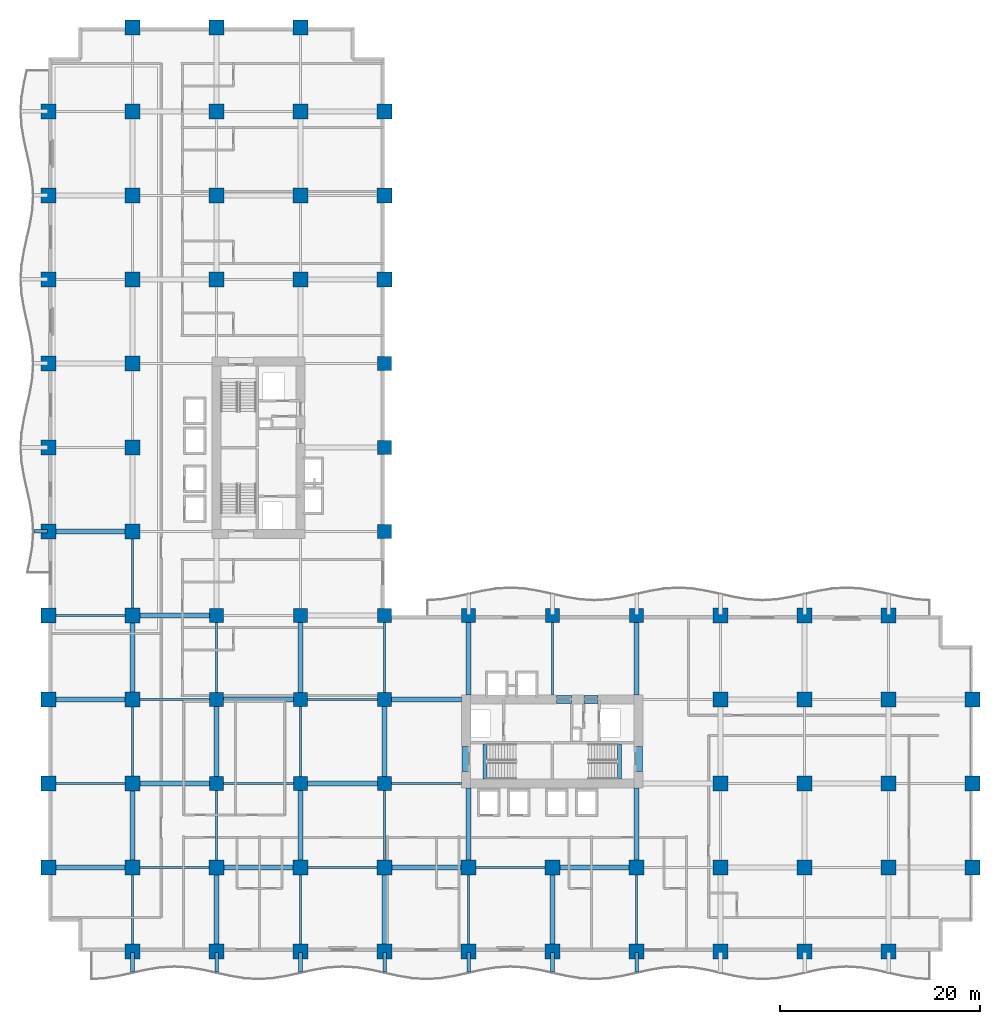
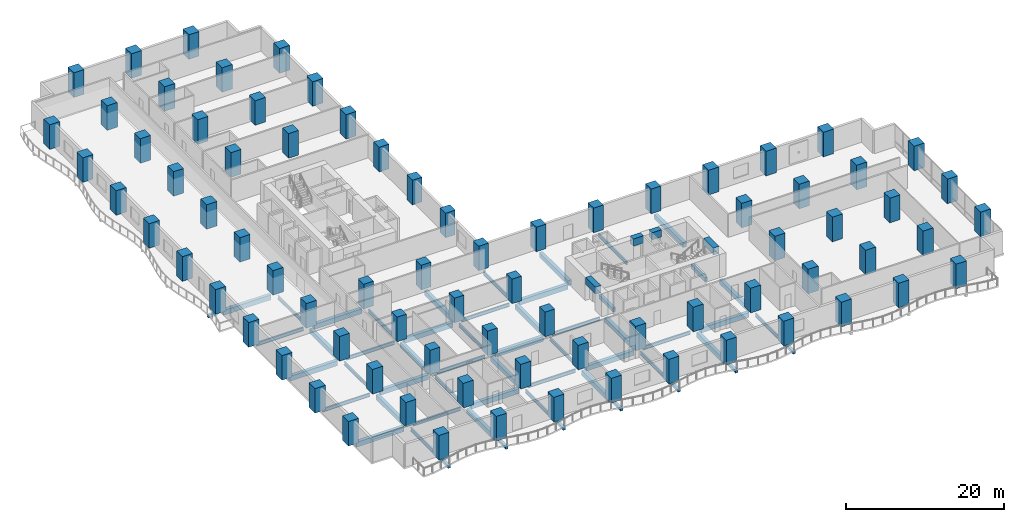
# One storey, part 1 of 27: 78 columns, 59 beams.
"""IFC4 building model written with IfcOpenShell, lengths in metres."""

import ifcopenshell
import ifcopenshell.guid

model = None  # the IFC model being written
_history = None  # IfcOwnerHistory: only IFC2X3 demands one
_inside = {}  # id of a spatial element -> (the spatial element, [elements in it])
_under = {}  # id of a project, library or spatial element -> (it, [spatial elements below it])
_declared = {}  # id of a project -> (the project, [libraries it declares])
_typed = {}  # id of a type object -> (the type object, [elements of that type])
_made_of = {}  # id of a material, layer set ... -> (it, [elements and type objects made of it])


def new_model(schema):
    """Start an empty IFC model of exactly this schema.

    Asked for "IFC4X3", IfcOpenShell would pick the latest addendum, in which some entities
    have other attributes; the version numbers below select the first issue.
    IFC2X3 requires an IfcOwnerHistory on every rooted entity: one is made here for all.
    """
    global model, _history
    if schema == "IFC4X3":
        model = ifcopenshell.file(schema_version=(4, 3, 0, 0))
    else:
        model = ifcopenshell.file(schema=schema)
    _inside.clear()
    _under.clear()
    _declared.clear()
    _typed.clear()
    _made_of.clear()
    _history = None
    if model.schema == "IFC2X3":
        org = make("IfcOrganization", Name="unknown")
        user = make(
            "IfcPersonAndOrganization",
            ThePerson=make("IfcPerson", FamilyName="unknown"),
            TheOrganization=org,
        )
        app = make(
            "IfcApplication",
            ApplicationDeveloper=org,
            Version="unknown",
            ApplicationFullName="unknown",
            ApplicationIdentifier="unknown",
        )
        _history = make(
            "IfcOwnerHistory",
            OwningUser=user,
            OwningApplication=app,
            ChangeAction="ADDED",
            CreationDate=0,
        )
    return model


def make(cls, **values):
    """One entity of the class cls with the attributes given. An attribute that is None is left unset."""
    return model.create_entity(
        cls, **{name: value for name, value in values.items() if value is not None}
    )


def rooted(cls, **values):
    """An entity with a GlobalId (a new one), such as an element, a storey or a relation."""
    return make(cls, GlobalId=ifcopenshell.guid.new(), OwnerHistory=_history, **values)


def si_unit(unit_type, name, prefix=None):
    """IfcSIUnit, for example si_unit("LENGTHUNIT", "METRE", prefix="MILLI")."""
    return make("IfcSIUnit", UnitType=unit_type, Prefix=prefix, Name=name)


def assignment(units):
    """IfcUnitAssignment: the units of a project."""
    return None if units is None else make("IfcUnitAssignment", Units=units)


def point(xyz):
    """IfcCartesianPoint."""
    return None if xyz is None else make("IfcCartesianPoint", Coordinates=xyz)


def direction(xyz):
    """IfcDirection."""
    return None if xyz is None else make("IfcDirection", DirectionRatios=xyz)


def frame(location, z_axis=None, x_axis=None):
    """IfcAxis2Placement3D, a coordinate frame: its origin and axes. An axis left out is left unset."""
    return make(
        "IfcAxis2Placement3D",
        Location=point(location),
        Axis=direction(z_axis),
        RefDirection=direction(x_axis),
    )


def frame_2d(location, x_axis=None):
    """IfcAxis2Placement2D, a coordinate frame in the plane: its origin and x axis."""
    return make(
        "IfcAxis2Placement2D", Location=point(location), RefDirection=direction(x_axis)
    )


def origin():
    """The frame at (0, 0, 0) with its axes left unset."""
    return frame((0.0, 0.0, 0.0))


def origin_2d():
    """The frame at (0, 0) in the plane with its x axis left unset."""
    return frame_2d((0.0, 0.0))


def place(relative_to, where):
    """IfcLocalPlacement: puts the frame where relative to a parent placement (None: the world)."""
    return make(
        "IfcLocalPlacement", PlacementRelTo=relative_to, RelativePlacement=where
    )


def context(
    kind, dimensions, precision=None, world=None, true_north=None, identifier=None
):
    """IfcGeometricRepresentationContext, for example the 3D "Model" context."""
    return make(
        "IfcGeometricRepresentationContext",
        ContextIdentifier=identifier,
        ContextType=kind,
        CoordinateSpaceDimension=dimensions,
        Precision=precision,
        WorldCoordinateSystem=world,
        TrueNorth=true_north,
    )


def subcontext(parent, identifier, kind, view, scale=None):
    """IfcGeometricRepresentationSubContext, for example "Body" below "Model"."""
    return make(
        "IfcGeometricRepresentationSubContext",
        ContextIdentifier=identifier,
        ContextType=kind,
        ParentContext=parent,
        TargetScale=scale,
        TargetView=view,
    )


def project(units=None, contexts=None):
    """IfcProject with its units and contexts."""
    return rooted(
        "IfcProject",
        Name="project",
        RepresentationContexts=contexts,
        UnitsInContext=assignment(units),
    )


def spatial(cls, under=None, at=None, **own):
    """A site, building, storey or space (cls), placed at a placement, below another one or the project."""
    s = rooted(cls, ObjectPlacement=at, **own)
    if under is not None:
        _under.setdefault(under.id(), (under, []))[1].append(s)
    return s


def profile(cls, at=None, kind="AREA", **sizes):
    """A parametric profile (cls). Its sizes go by their IFC names, for example OverallWidth=200.0."""
    return make(cls, ProfileType=kind, Position=at, **sizes)


def rectangle(**sizes):
    """IfcRectangleProfileDef."""
    return profile("IfcRectangleProfileDef", **sizes)


def i_section(**sizes):
    """IfcIShapeProfileDef."""
    return profile("IfcIShapeProfileDef", **sizes)


def extrude(swept, where, along, depth):
    """IfcExtrudedAreaSolid: the profile swept, set in the frame where, extruded along a direction by depth."""
    return make(
        "IfcExtrudedAreaSolid",
        SweptArea=swept,
        Position=where,
        ExtrudedDirection=direction(along),
        Depth=depth,
    )


def shape(context_of_items, identifier, shape_type, items):
    """IfcShapeRepresentation: the items that make up one representation, for example the "Body"."""
    return make(
        "IfcShapeRepresentation",
        ContextOfItems=context_of_items,
        RepresentationIdentifier=identifier,
        RepresentationType=shape_type,
        Items=items,
    )


def material(Name=None, Category=None):
    """IfcMaterial."""
    return make("IfcMaterial", Name=Name, Category=Category)


def material_profile(
    of_material, cross_section, Name=None, Category=None, Priority=None
):
    """IfcMaterialProfile: a cross section and its material."""
    return make(
        "IfcMaterialProfile",
        Name=Name,
        Material=of_material,
        Profile=cross_section,
        Priority=Priority,
        Category=Category,
    )


def profile_set(profiles, Name=None, composite=None):
    """IfcMaterialProfileSet."""
    return make(
        "IfcMaterialProfileSet",
        Name=Name,
        MaterialProfiles=profiles,
        CompositeProfile=composite,
    )


def made_of(thing, what):
    """Note that an element or type object is made of a material, layer set ...; save() writes the relation."""
    if what is not None:
        _made_of.setdefault(what.id(), (what, []))[1].append(thing)
    return thing


def type_object(cls, material=None, **own):
    """A type object (cls), such as IfcWallType, which elements share."""
    return made_of(rooted(cls, **own), material)


def element(
    cls,
    number,
    at=None,
    inside=None,
    cuts=None,
    type_object=None,
    material=None,
    context=None,
    identifier="Body",
    shape_type=None,
    held_by="IfcProductDefinitionShape",
    body=None,
    shapes=None,
    **own,
):
    """One element of the class cls, such as IfcWall. Its Tag is "e" and its number.

    at: its placement. inside: the storey or other place that contains it. cuts: it is an
    opening in that element (IfcRelVoidsElement). A single representation is given by context,
    identifier, shape_type and body (its items); several are given by shapes. held_by: the class
    of the entity that holds the representations. save() writes the other relations.
    """
    e = rooted(cls, Tag="e%d" % number, ObjectPlacement=at, **own)
    if body is not None:
        shapes = [shape(context, identifier, shape_type, body)]
    if shapes is not None:
        e.Representation = make(held_by, Representations=shapes)
    if inside is not None:
        _inside.setdefault(inside.id(), (inside, []))[1].append(e)
    if cuts is not None:
        rooted(
            "IfcRelVoidsElement", RelatingBuildingElement=cuts, RelatedOpeningElement=e
        )
    if type_object is not None:
        _typed.setdefault(type_object.id(), (type_object, []))[1].append(e)
    return made_of(e, material)


def aggregate(whole, parts):
    """IfcRelAggregates: a whole, such as a stair, and the parts it consists of."""
    return rooted("IfcRelAggregates", RelatingObject=whole, RelatedObjects=parts)


def save(model, path):
    """Write the relations noted so far, then the file.

    IfcRelAggregates (storeys below a building ...), IfcRelContainedInSpatialStructure (elements
    in a storey), IfcRelDefinesByType, IfcRelAssociatesMaterial and IfcRelDeclares: one each for
    every whole, place, type object, material and project.
    """
    for whole, parts in _under.values():
        aggregate(whole, parts)
    for where, things in _inside.values():
        rooted(
            "IfcRelContainedInSpatialStructure",
            RelatedElements=things,
            RelatingStructure=where,
        )
    for kind, things in _typed.values():
        rooted("IfcRelDefinesByType", RelatedObjects=things, RelatingType=kind)
    for what, things in _made_of.values():
        rooted("IfcRelAssociatesMaterial", RelatedObjects=things, RelatingMaterial=what)
    for by, libraries in _declared.values():
        rooted("IfcRelDeclares", RelatingContext=by, RelatedDefinitions=libraries)
    model.write(path)


model = new_model("IFC4")

# Units and contexts
model_context = context("Model", 3, precision=1e-05, world=origin(), true_north=direction((0.0, 1.0)))
body_context = subcontext(model_context, "Body", "Model", "MODEL_VIEW")
ifc_project = project(units=[si_unit("LENGTHUNIT", "METRE"), si_unit("AREAUNIT", "SQUARE_METRE"), si_unit("VOLUMEUNIT", "CUBIC_METRE"), si_unit("PLANEANGLEUNIT", "RADIAN"), si_unit("MASSUNIT", "GRAM", prefix="KILO")], contexts=[model_context])

# Site, building, storey
site_placement = place(None, origin())
site = spatial("IfcSite", under=ifc_project, at=site_placement, CompositionType="ELEMENT")
building_placement = place(site_placement, origin())
building = spatial("IfcBuilding", under=site, at=building_placement, Name="Koriwani Terraces Tower", CompositionType="ELEMENT")
storey_placement = place(building_placement, frame((0.0, 0.0, 54.800048828125)))
storey = spatial("IfcBuildingStorey", under=building, at=storey_placement, Name="L12", CompositionType="ELEMENT", Elevation=54.800048828125)

# Columns
ifc_material_1 = material(Name="Concrete C60/75", Category="concrete")
ifc_material_profile_1 = material_profile(ifc_material_1, rectangle(XDim=1.39990234375, YDim=1.39990234375, at=origin_2d()), Name="Concrete C60/75", Category="LoadBearing")
ifc_profile_set_1 = profile_set([ifc_material_profile_1], Name="Concrete C60/75")
column_type_1 = type_object("IfcColumnType", Name="COL_RC_1400X1400", PredefinedType="COLUMN", material=ifc_profile_set_1)
for number, where, z_axis, x_axis, name in (
    (1, (16.800048828125, 16.800048828125, 0.0), (0.0, 0.0, 1.0), (1.0, 0.0, 0.0), "L12 Column 3/C"),
    (2, (16.800048828125, 25.199951171875, 0.0), (0.0, 0.0, 1.0), (1.0, 0.0, 0.0), "L12 Column 3/D"),
    (3, (16.800048828125, 33.60009765625, 0.0), (0.0, 0.0, 1.0), (1.0, 0.0, 0.0), "L12 Column 3/E"),
    (4, (25.199951171875, 16.800048828125, 0.0), (0.0, 0.0, 1.0), (1.0, 0.0, 0.0), "L12 Column 4/C"),
    (5, (25.199951171875, 25.199951171875, 0.0), (0.0, 0.0, 1.0), (1.0, 0.0, 0.0), "L12 Column 4/D"),
    (6, (25.199951171875, 33.60009765625, 0.0), (0.0, 0.0, 1.0), (1.0, 0.0, 0.0), "L12 Column 4/E"),
    (7, (33.60009765625, 16.800048828125, 0.0), (0.0, 0.0, 1.0), (1.0, 0.0, 0.0), "L12 Column 5/C"),
    (8, (33.60009765625, 25.199951171875, 0.0), (0.0, 0.0, 1.0), (1.0, 0.0, 0.0), "L12 Column 5/D"),
    (9, (33.60009765625, 33.60009765625, 0.0), (0.0, 0.0, 1.0), (1.0, 0.0, 0.0), "L12 Column 5/E"),
    (10, (33.60009765625, 42.0, 0.0), (0.0, 0.0, 1.0), (1.0, 0.0, 0.0), "L12 Column 5/F"),
    (11, (33.60009765625, 50.39990234375, 0.0), (0.0, 0.0, 1.0), (1.0, 0.0, 0.0), "L12 Column 5/G"),
    (12, (33.60009765625, 58.800048828125, 0.0), (0.0, 0.0, 1.0), (1.0, 0.0, 0.0), "L12 Column 5/H"),
    (13, (42.0, 33.60009765625, 0.0), (0.0, 0.0, 1.0), (1.0, 0.0, 0.0), "L12 Column 6/E"),
    (14, (50.39990234375, 33.60009765625, 0.0), (0.0, 0.0, 1.0), (1.0, 0.0, 0.0), "L12 Column 7/E"),
    (15, (58.800048828125, 33.60009765625, 0.0), (0.0, 0.0, 1.0), (1.0, 0.0, 0.0), "L12 Column 8/E"),
):
    element("IfcColumn", number, at=place(storey_placement, frame(where, z_axis=z_axis, x_axis=x_axis)), inside=storey, type_object=column_type_1, Name=name, PredefinedType="COLUMN", context=body_context, shape_type="SweptSolid", body=[
        extrude(rectangle(XDim=1.39990234375, YDim=1.39990234375, at=origin_2d()), origin(), (0.0, 0.0, 1.0), 3.800048828125),
    ])
ifc_material_profile_2 = material_profile(ifc_material_1, rectangle(XDim=1.5, YDim=1.5, at=origin_2d()), Name="Concrete C60/75", Category="LoadBearing")
ifc_profile_set_2 = profile_set([ifc_material_profile_2], Name="Concrete C60/75")
column_type_2 = type_object("IfcColumnType", Name="COL_RC_1500X1500", PredefinedType="COLUMN", material=ifc_profile_set_2)
for number, where, z_axis, x_axis, name in (
    (16, (0.0, 8.39990234375, 0.0), (0.0, 0.0, 1.0), (1.0, 0.0, 0.0), "L12 Column 1/B"),
    (17, (0.0, 16.800048828125, 0.0), (0.0, 0.0, 1.0), (1.0, 0.0, 0.0), "L12 Column 1/C"),
    (18, (0.0, 25.199951171875, 0.0), (0.0, 0.0, 1.0), (1.0, 0.0, 0.0), "L12 Column 1/D"),
    (19, (0.0, 33.60009765625, 0.0), (0.0, 0.0, 1.0), (1.0, 0.0, 0.0), "L12 Column 1/E"),
    (20, (0.0, 42.0, 0.0), (0.0, 0.0, 1.0), (1.0, 0.0, 0.0), "L12 Column 1/F"),
    (21, (0.0, 50.39990234375, 0.0), (0.0, 0.0, 1.0), (1.0, 0.0, 0.0), "L12 Column 1/G"),
    (22, (0.0, 58.800048828125, 0.0), (0.0, 0.0, 1.0), (1.0, 0.0, 0.0), "L12 Column 1/H"),
    (23, (0.0, 67.199951171875, 0.0), (0.0, 0.0, 1.0), (1.0, 0.0, 0.0), "L12 Column 1/I"),
    (24, (0.0, 75.60009765625, 0.0), (0.0, 0.0, 1.0), (1.0, 0.0, 0.0), "L12 Column 1/J"),
    (25, (0.0, 84.0, 0.0), (0.0, 0.0, 1.0), (1.0, 0.0, 0.0), "L12 Column 1/K"),
    (26, (8.39990234375, 0.0, 0.0), (0.0, 0.0, 1.0), (1.0, 0.0, 0.0), "L12 Column 2/A"),
    (27, (8.39990234375, 8.39990234375, 0.0), (0.0, 0.0, 1.0), (1.0, 0.0, 0.0), "L12 Column 2/B"),
    (28, (8.39990234375, 16.800048828125, 0.0), (0.0, 0.0, 1.0), (1.0, 0.0, 0.0), "L12 Column 2/C"),
    (29, (8.39990234375, 25.199951171875, 0.0), (0.0, 0.0, 1.0), (1.0, 0.0, 0.0), "L12 Column 2/D"),
    (30, (8.39990234375, 33.60009765625, 0.0), (0.0, 0.0, 1.0), (1.0, 0.0, 0.0), "L12 Column 2/E"),
    (31, (8.39990234375, 42.0, 0.0), (0.0, 0.0, 1.0), (1.0, 0.0, 0.0), "L12 Column 2/F"),
    (32, (8.39990234375, 50.39990234375, 0.0), (0.0, 0.0, 1.0), (1.0, 0.0, 0.0), "L12 Column 2/G"),
    (33, (8.39990234375, 58.800048828125, 0.0), (0.0, 0.0, 1.0), (1.0, 0.0, 0.0), "L12 Column 2/H"),
    (34, (8.39990234375, 67.199951171875, 0.0), (0.0, 0.0, 1.0), (1.0, 0.0, 0.0), "L12 Column 2/I"),
    (35, (8.39990234375, 75.60009765625, 0.0), (0.0, 0.0, 1.0), (1.0, 0.0, 0.0), "L12 Column 2/J"),
    (36, (8.39990234375, 84.0, 0.0), (0.0, 0.0, 1.0), (1.0, 0.0, 0.0), "L12 Column 2/K"),
    (37, (8.39990234375, 92.39990234375, 0.0), (0.0, 0.0, 1.0), (1.0, 0.0, 0.0), "L12 Column 2/L"),
    (38, (16.800048828125, 0.0, 0.0), (0.0, 0.0, 1.0), (1.0, 0.0, 0.0), "L12 Column 3/A"),
    (39, (16.800048828125, 8.39990234375, 0.0), (0.0, 0.0, 1.0), (1.0, 0.0, 0.0), "L12 Column 3/B"),
    (40, (16.800048828125, 67.199951171875, 0.0), (0.0, 0.0, 1.0), (1.0, 0.0, 0.0), "L12 Column 3/I"),
    (41, (16.800048828125, 75.60009765625, 0.0), (0.0, 0.0, 1.0), (1.0, 0.0, 0.0), "L12 Column 3/J"),
    (42, (16.800048828125, 84.0, 0.0), (0.0, 0.0, 1.0), (1.0, 0.0, 0.0), "L12 Column 3/K"),
    (43, (16.800048828125, 92.39990234375, 0.0), (0.0, 0.0, 1.0), (1.0, 0.0, 0.0), "L12 Column 3/L"),
    (44, (25.199951171875, 0.0, 0.0), (0.0, 0.0, 1.0), (1.0, 0.0, 0.0), "L12 Column 4/A"),
    (45, (25.199951171875, 8.39990234375, 0.0), (0.0, 0.0, 1.0), (1.0, 0.0, 0.0), "L12 Column 4/B"),
    (46, (25.199951171875, 67.199951171875, 0.0), (0.0, 0.0, 1.0), (1.0, 0.0, 0.0), "L12 Column 4/I"),
    (47, (25.199951171875, 75.60009765625, 0.0), (0.0, 0.0, 1.0), (1.0, 0.0, 0.0), "L12 Column 4/J"),
    (48, (25.199951171875, 84.0, 0.0), (0.0, 0.0, 1.0), (1.0, 0.0, 0.0), "L12 Column 4/K"),
    (49, (25.199951171875, 92.39990234375, 0.0), (0.0, 0.0, 1.0), (1.0, 0.0, 0.0), "L12 Column 4/L"),
    (50, (33.60009765625, 0.0, 0.0), (0.0, 0.0, 1.0), (1.0, 0.0, 0.0), "L12 Column 5/A"),
    (51, (33.60009765625, 8.39990234375, 0.0), (0.0, 0.0, 1.0), (1.0, 0.0, 0.0), "L12 Column 5/B"),
    (52, (33.60009765625, 67.199951171875, 0.0), (0.0, 0.0, 1.0), (1.0, 0.0, 0.0), "L12 Column 5/I"),
    (53, (33.60009765625, 75.60009765625, 0.0), (0.0, 0.0, 1.0), (1.0, 0.0, 0.0), "L12 Column 5/J"),
    (54, (33.60009765625, 84.0, 0.0), (0.0, 0.0, 1.0), (1.0, 0.0, 0.0), "L12 Column 5/K"),
    (55, (42.0, 0.0, 0.0), (0.0, 0.0, 1.0), (1.0, 0.0, 0.0), "L12 Column 6/A"),
    (56, (42.0, 8.39990234375, 0.0), (0.0, 0.0, 1.0), (1.0, 0.0, 0.0), "L12 Column 6/B"),
    (57, (50.39990234375, 0.0, 0.0), (0.0, 0.0, 1.0), (1.0, 0.0, 0.0), "L12 Column 7/A"),
    (58, (50.39990234375, 8.39990234375, 0.0), (0.0, 0.0, 1.0), (1.0, 0.0, 0.0), "L12 Column 7/B"),
    (59, (58.800048828125, 0.0, 0.0), (0.0, 0.0, 1.0), (1.0, 0.0, 0.0), "L12 Column 8/A"),
    (60, (58.800048828125, 8.39990234375, 0.0), (0.0, 0.0, 1.0), (1.0, 0.0, 0.0), "L12 Column 8/B"),
    (61, (67.199951171875, 0.0, 0.0), (0.0, 0.0, 1.0), (1.0, 0.0, 0.0), "L12 Column 9/A"),
    (62, (67.199951171875, 8.39990234375, 0.0), (0.0, 0.0, 1.0), (1.0, 0.0, 0.0), "L12 Column 9/B"),
    (63, (67.199951171875, 16.800048828125, 0.0), (0.0, 0.0, 1.0), (1.0, 0.0, 0.0), "L12 Column 9/C"),
    (64, (67.199951171875, 25.199951171875, 0.0), (0.0, 0.0, 1.0), (1.0, 0.0, 0.0), "L12 Column 9/D"),
    (65, (67.199951171875, 33.60009765625, 0.0), (0.0, 0.0, 1.0), (1.0, 0.0, 0.0), "L12 Column 9/E"),
    (66, (75.60009765625, 0.0, 0.0), (0.0, 0.0, 1.0), (1.0, 0.0, 0.0), "L12 Column 10/A"),
    (67, (75.60009765625, 8.39990234375, 0.0), (0.0, 0.0, 1.0), (1.0, 0.0, 0.0), "L12 Column 10/B"),
    (68, (75.60009765625, 16.800048828125, 0.0), (0.0, 0.0, 1.0), (1.0, 0.0, 0.0), "L12 Column 10/C"),
    (69, (75.60009765625, 25.199951171875, 0.0), (0.0, 0.0, 1.0), (1.0, 0.0, 0.0), "L12 Column 10/D"),
    (70, (75.60009765625, 33.60009765625, 0.0), (0.0, 0.0, 1.0), (1.0, 0.0, 0.0), "L12 Column 10/E"),
    (71, (84.0, 0.0, 0.0), (0.0, 0.0, 1.0), (1.0, 0.0, 0.0), "L12 Column 11/A"),
    (72, (84.0, 8.39990234375, 0.0), (0.0, 0.0, 1.0), (1.0, 0.0, 0.0), "L12 Column 11/B"),
    (73, (84.0, 16.800048828125, 0.0), (0.0, 0.0, 1.0), (1.0, 0.0, 0.0), "L12 Column 11/C"),
    (74, (84.0, 25.199951171875, 0.0), (0.0, 0.0, 1.0), (1.0, 0.0, 0.0), "L12 Column 11/D"),
    (75, (84.0, 33.60009765625, 0.0), (0.0, 0.0, 1.0), (1.0, 0.0, 0.0), "L12 Column 11/E"),
    (76, (92.39990234375, 8.39990234375, 0.0), (0.0, 0.0, 1.0), (1.0, 0.0, 0.0), "L12 Column 12/B"),
    (77, (92.39990234375, 16.800048828125, 0.0), (0.0, 0.0, 1.0), (1.0, 0.0, 0.0), "L12 Column 12/C"),
    (78, (92.39990234375, 25.199951171875, 0.0), (0.0, 0.0, 1.0), (1.0, 0.0, 0.0), "L12 Column 12/D"),
):
    element("IfcColumn", number, at=place(storey_placement, frame(where, z_axis=z_axis, x_axis=x_axis)), inside=storey, type_object=column_type_2, Name=name, PredefinedType="COLUMN", context=body_context, shape_type="SweptSolid", body=[
        extrude(rectangle(XDim=1.5, YDim=1.5, at=origin_2d()), origin(), (0.0, 0.0, 1.0), 3.800048828125),
    ])

# Beams
ifc_material_2 = material(Name="Concrete C40/50", Category="concrete")
ifc_material_profile_3 = material_profile(ifc_material_2, rectangle(XDim=0.35009765625, YDim=0.449951171875, at=origin_2d()), Name="Concrete C40/50", Category="LoadBearing")
ifc_profile_set_3 = profile_set([ifc_material_profile_3], Name="Concrete C40/50")
beam_type_1 = type_object("IfcBeamType", Name="BEAM_RC_BALCONY_RIB_350X450", PredefinedType="JOIST", material=ifc_profile_set_3)
for number, where, z_axis, x_axis, name in (
    (79, (8.39990234375, -2.074951171875, -0.47509765625), (0.0, 1.0, 0.0), (-1.0, 0.0, 0.0), "L12 Balcony Bracket Rib S-1"),
    (80, (16.800048828125, -2.074951171875, -0.47509765625), (0.0, 1.0, 0.0), (-1.0, 0.0, 0.0), "L12 Balcony Bracket Rib S-2"),
    (81, (25.199951171875, -2.074951171875, -0.47509765625), (0.0, 1.0, 0.0), (-1.0, 0.0, 0.0), "L12 Balcony Bracket Rib S-3"),
    (82, (33.60009765625, -2.074951171875, -0.47509765625), (0.0, 1.0, 0.0), (-1.0, 0.0, 0.0), "L12 Balcony Bracket Rib S-4"),
    (83, (42.0, -2.074951171875, -0.47509765625), (0.0, 1.0, 0.0), (-1.0, 0.0, 0.0), "L12 Balcony Bracket Rib S-5"),
    (84, (50.39990234375, -2.074951171875, -0.47509765625), (0.0, 1.0, 0.0), (-1.0, 0.0, 0.0), "L12 Balcony Bracket Rib S-6"),
    (85, (58.800048828125, -2.074951171875, -0.47509765625), (0.0, 1.0, 0.0), (-1.0, 0.0, 0.0), "L12 Balcony Bracket Rib S-7"),
):
    element("IfcBeam", number, at=place(storey_placement, frame(where, z_axis=z_axis, x_axis=x_axis)), inside=storey, type_object=beam_type_1, Name=name, PredefinedType="JOIST", context=body_context, shape_type="SweptSolid", body=[
        extrude(rectangle(XDim=0.35009765625, YDim=0.449951171875, at=origin_2d()), origin(), (0.0, 0.0, 1.0), 1.974853515625),
    ])
beam_1_placement = place(storey_placement, frame((-1.449951171875, 42.0, -0.47509765625), z_axis=(1.0, 0.0, 0.0), x_axis=(0.0, 1.0, 0.0)))
element("IfcBeam", 86, at=beam_1_placement, inside=storey, type_object=beam_type_1, Name="L12 Balcony Bracket Rib W-1", PredefinedType="JOIST", context=body_context, shape_type="SweptSolid", body=[
    extrude(rectangle(XDim=0.35009765625, YDim=0.449951171875, at=origin_2d()), origin(), (0.0, 0.0, 1.0), 1.349853515625),
])
ifc_material_profile_4 = material_profile(ifc_material_1, rectangle(XDim=0.800048828125, YDim=1.10009765625, at=origin_2d()), Name="Concrete C60/75", Category="LoadBearing")
ifc_profile_set_4 = profile_set([ifc_material_profile_4], Name="Concrete C60/75")
beam_type_2 = type_object("IfcBeamType", Name="BEAM_RC_COUPLING_800X1100", PredefinedType="LINTEL", material=ifc_profile_set_4)
beam_2_placement = place(storey_placement, frame((50.800048828125, 25.199951171875, 3.0), z_axis=(1.0, 0.0, 0.0), x_axis=(0.0, 1.0, 0.0)))
element("IfcBeam", 87, at=beam_2_placement, inside=storey, type_object=beam_type_2, Name="L12 Core Coupling Lintel Beam EN1", PredefinedType="LINTEL", context=body_context, shape_type="SweptSolid", body=[
    extrude(rectangle(XDim=0.800048828125, YDim=1.10009765625, at=origin_2d()), origin(), (0.0, 0.0, 1.0), 1.47998046875),
])
beam_3_placement = place(storey_placement, frame((53.550048828125, 25.199951171875, 3.0), z_axis=(1.0, 0.0, 0.0), x_axis=(0.0, 1.0, 0.0)))
element("IfcBeam", 88, at=beam_3_placement, inside=storey, type_object=beam_type_2, Name="L12 Core Coupling Lintel Beam EN2", PredefinedType="LINTEL", context=body_context, shape_type="SweptSolid", body=[
    extrude(rectangle(XDim=0.800048828125, YDim=1.10009765625, at=origin_2d()), origin(), (0.0, 0.0, 1.0), 1.39990234375),
])
for number, where, z_axis, x_axis, name in (
    (89, (41.75, 18.0, 3.0), (0.0, 1.0, 0.0), (-1.0, 0.0, 0.0), "L12 Core Coupling Lintel Beam EW"),
    (90, (59.0, 18.0, 3.0), (0.0, 1.0, 0.0), (-1.0, 0.0, 0.0), "L12 Core Coupling Lintel Beam EE"),
):
    element("IfcBeam", number, at=place(storey_placement, frame(where, z_axis=z_axis, x_axis=x_axis)), inside=storey, type_object=beam_type_2, Name=name, PredefinedType="LINTEL", context=body_context, shape_type="SweptSolid", body=[
        extrude(rectangle(XDim=0.800048828125, YDim=1.10009765625, at=origin_2d()), origin(), (0.0, 0.0, 1.0), 2.5),
    ])
ifc_material_profile_5 = material_profile(ifc_material_2, rectangle(XDim=0.39990234375, YDim=0.60009765625, at=origin_2d()), Name="Concrete C40/50", Category="LoadBearing")
ifc_profile_set_5 = profile_set([ifc_material_profile_5], Name="Concrete C40/50")
beam_type_3 = type_object("IfcBeamType", Name="BEAM_RC_GRID_400X600", PredefinedType="BEAM", material=ifc_profile_set_5)
for number, where, z_axis, x_axis, name in (
    (91, (43.655029296875, 17.25, -0.300048828125), (0.0, 1.0, 0.0), (-1.0, 0.0, 0.0), "L12 Stairwell Header Trimmer Beam ST-E1"),
    (92, (57.094970703125, 17.25, -0.300048828125), (0.0, 1.0, 0.0), (-1.0, 0.0, 0.0), "L12 Stairwell Header Trimmer Beam ST-E2"),
):
    element("IfcBeam", number, at=place(storey_placement, frame(where, z_axis=z_axis, x_axis=x_axis)), inside=storey, type_object=beam_type_3, Name=name, PredefinedType="BEAM", context=body_context, shape_type="SweptSolid", body=[
        extrude(rectangle(XDim=0.39990234375, YDim=0.60009765625, at=origin_2d()), origin(), (0.0, 0.0, 1.0), 3.5),
    ])
ifc_material_3 = material(Name="Concrete C50/60", Category="concrete")
ifc_material_profile_6 = material_profile(ifc_material_3, rectangle(XDim=0.5, YDim=0.75, at=origin_2d()), Name="Concrete C50/60", Category="LoadBearing")
ifc_profile_set_6 = profile_set([ifc_material_profile_6], Name="Concrete C50/60")
beam_type_4 = type_object("IfcBeamType", Name="BEAM_RC_GRID_500X750", PredefinedType="BEAM", material=ifc_profile_set_6)
for number, where, z_axis, x_axis, name in (
    (93, (0.72998046875, 8.39990234375, -0.625), (1.0, 0.0, 0.0), (0.0, 1.0, 0.0), "L12 Grid Beam B (0.0-8.4m)"),
    (94, (17.530029296875, 8.39990234375, -0.625), (1.0, 0.0, 0.0), (0.0, 1.0, 0.0), "L12 Grid Beam B (16.8-25.2m)"),
    (95, (34.330078125, 8.39990234375, -0.625), (1.0, 0.0, 0.0), (0.0, 1.0, 0.0), "L12 Grid Beam B (33.6-42.0m)"),
):
    element("IfcBeam", number, at=place(storey_placement, frame(where, z_axis=z_axis, x_axis=x_axis)), inside=storey, type_object=beam_type_4, Name=name, PredefinedType="BEAM", context=body_context, shape_type="SweptSolid", body=[
        extrude(rectangle(XDim=0.5, YDim=0.75, at=origin_2d()), origin(), (0.0, 0.0, 1.0), 6.93994140625),
    ])
beam_4_placement = place(storey_placement, frame((51.1298828125, 8.39990234375, -0.625), z_axis=(1.0, 0.0, 0.0), x_axis=(0.0, 1.0, 0.0)))
element("IfcBeam", 96, at=beam_4_placement, inside=storey, type_object=beam_type_4, Name="L12 Grid Beam B (50.4-58.8m)", PredefinedType="BEAM", context=body_context, shape_type="SweptSolid", body=[
    extrude(rectangle(XDim=0.5, YDim=0.75, at=origin_2d()), origin(), (0.0, 0.0, 1.0), 6.940185546875),
])
beam_5_placement = place(storey_placement, frame((9.1298828125, 16.800048828125, -0.625), z_axis=(1.0, 0.0, 0.0), x_axis=(0.0, 1.0, 0.0)))
element("IfcBeam", 97, at=beam_5_placement, inside=storey, type_object=beam_type_4, Name="L12 Grid Beam C (8.4-16.8m)", PredefinedType="BEAM", context=body_context, shape_type="SweptSolid", body=[
    extrude(rectangle(XDim=0.5, YDim=0.75, at=origin_2d()), origin(), (0.0, 0.0, 1.0), 6.990234375),
])
beam_6_placement = place(storey_placement, frame((25.8798828125, 16.800048828125, -0.625), z_axis=(1.0, 0.0, 0.0), x_axis=(0.0, 1.0, 0.0)))
element("IfcBeam", 98, at=beam_6_placement, inside=storey, type_object=beam_type_4, Name="L12 Grid Beam C (25.2-33.6m)", PredefinedType="BEAM", context=body_context, shape_type="SweptSolid", body=[
    extrude(rectangle(XDim=0.5, YDim=0.75, at=origin_2d()), origin(), (0.0, 0.0, 1.0), 7.0400390625),
])
beam_7_placement = place(storey_placement, frame((0.72998046875, 25.199951171875, -0.625), z_axis=(1.0, 0.0, 0.0), x_axis=(0.0, 1.0, 0.0)))
element("IfcBeam", 99, at=beam_7_placement, inside=storey, type_object=beam_type_4, Name="L12 Grid Beam D (0.0-8.4m)", PredefinedType="BEAM", context=body_context, shape_type="SweptSolid", body=[
    extrude(rectangle(XDim=0.5, YDim=0.75, at=origin_2d()), origin(), (0.0, 0.0, 1.0), 6.93994140625),
])
for number, where, z_axis, x_axis, name in (
    (100, (17.47998046875, 25.199951171875, -0.625), (1.0, 0.0, 0.0), (0.0, 1.0, 0.0), "L12 Grid Beam D (16.8-25.2m)"),
    (101, (34.280029296875, 25.199951171875, -0.625), (1.0, 0.0, 0.0), (0.0, 1.0, 0.0), "L12 Grid Beam D (33.6-42.0m)"),
):
    element("IfcBeam", number, at=place(storey_placement, frame(where, z_axis=z_axis, x_axis=x_axis)), inside=storey, type_object=beam_type_4, Name=name, PredefinedType="BEAM", context=body_context, shape_type="SweptSolid", body=[
        extrude(rectangle(XDim=0.5, YDim=0.75, at=origin_2d()), origin(), (0.0, 0.0, 1.0), 7.0400390625),
    ])
beam_8_placement = place(storey_placement, frame((9.1298828125, 33.60009765625, -0.625), z_axis=(1.0, 0.0, 0.0), x_axis=(0.0, 1.0, 0.0)))
element("IfcBeam", 102, at=beam_8_placement, inside=storey, type_object=beam_type_4, Name="L12 Grid Beam E (8.4-16.8m)", PredefinedType="BEAM", context=body_context, shape_type="SweptSolid", body=[
    extrude(rectangle(XDim=0.5, YDim=0.75, at=origin_2d()), origin(), (0.0, 0.0, 1.0), 6.990234375),
])
beam_9_placement = place(storey_placement, frame((0.72998046875, 42.0, -0.625), z_axis=(1.0, 0.0, 0.0), x_axis=(0.0, 1.0, 0.0)))
element("IfcBeam", 103, at=beam_9_placement, inside=storey, type_object=beam_type_4, Name="L12 Grid Beam F (0.0-8.4m)", PredefinedType="BEAM", context=body_context, shape_type="SweptSolid", body=[
    extrude(rectangle(XDim=0.5, YDim=0.75, at=origin_2d()), origin(), (0.0, 0.0, 1.0), 6.93994140625),
])
for number, where, z_axis, x_axis, name in (
    (104, (8.39990234375, 9.1298828125, -0.625), (0.0, 1.0, 0.0), (-1.0, 0.0, 0.0), "L12 Grid Beam 2 (8.4-16.8m)"),
    (105, (8.39990234375, 25.929931640625, -0.625), (0.0, 1.0, 0.0), (-1.0, 0.0, 0.0), "L12 Grid Beam 2 (25.2-33.6m)"),
):
    element("IfcBeam", number, at=place(storey_placement, frame(where, z_axis=z_axis, x_axis=x_axis)), inside=storey, type_object=beam_type_4, Name=name, PredefinedType="BEAM", context=body_context, shape_type="SweptSolid", body=[
        extrude(rectangle(XDim=0.5, YDim=0.75, at=origin_2d()), origin(), (0.0, 0.0, 1.0), 6.940185546875),
    ])
beam_10_placement = place(storey_placement, frame((16.800048828125, 0.72998046875, -0.625), z_axis=(0.0, 1.0, 0.0), x_axis=(-1.0, 0.0, 0.0)))
element("IfcBeam", 106, at=beam_10_placement, inside=storey, type_object=beam_type_4, Name="L12 Grid Beam 3 (0.0-8.4m)", PredefinedType="BEAM", context=body_context, shape_type="SweptSolid", body=[
    extrude(rectangle(XDim=0.5, YDim=0.75, at=origin_2d()), origin(), (0.0, 0.0, 1.0), 6.93994140625),
])
beam_11_placement = place(storey_placement, frame((16.800048828125, 17.47998046875, -0.625), z_axis=(0.0, 1.0, 0.0), x_axis=(-1.0, 0.0, 0.0)))
element("IfcBeam", 107, at=beam_11_placement, inside=storey, type_object=beam_type_4, Name="L12 Grid Beam 3 (16.8-25.2m)", PredefinedType="BEAM", context=body_context, shape_type="SweptSolid", body=[
    extrude(rectangle(XDim=0.5, YDim=0.75, at=origin_2d()), origin(), (0.0, 0.0, 1.0), 7.0400390625),
])
beam_12_placement = place(storey_placement, frame((25.199951171875, 9.1298828125, -0.625), z_axis=(0.0, 1.0, 0.0), x_axis=(-1.0, 0.0, 0.0)))
element("IfcBeam", 108, at=beam_12_placement, inside=storey, type_object=beam_type_4, Name="L12 Grid Beam 4 (8.4-16.8m)", PredefinedType="BEAM", context=body_context, shape_type="SweptSolid", body=[
    extrude(rectangle(XDim=0.5, YDim=0.75, at=origin_2d()), origin(), (0.0, 0.0, 1.0), 6.990234375),
])
beam_13_placement = place(storey_placement, frame((25.199951171875, 25.8798828125, -0.625), z_axis=(0.0, 1.0, 0.0), x_axis=(-1.0, 0.0, 0.0)))
element("IfcBeam", 109, at=beam_13_placement, inside=storey, type_object=beam_type_4, Name="L12 Grid Beam 4 (25.2-33.6m)", PredefinedType="BEAM", context=body_context, shape_type="SweptSolid", body=[
    extrude(rectangle(XDim=0.5, YDim=0.75, at=origin_2d()), origin(), (0.0, 0.0, 1.0), 7.0400390625),
])
beam_14_placement = place(storey_placement, frame((33.60009765625, 0.72998046875, -0.625), z_axis=(0.0, 1.0, 0.0), x_axis=(-1.0, 0.0, 0.0)))
element("IfcBeam", 110, at=beam_14_placement, inside=storey, type_object=beam_type_4, Name="L12 Grid Beam 5 (0.0-8.4m)", PredefinedType="BEAM", context=body_context, shape_type="SweptSolid", body=[
    extrude(rectangle(XDim=0.5, YDim=0.75, at=origin_2d()), origin(), (0.0, 0.0, 1.0), 6.93994140625),
])
beam_15_placement = place(storey_placement, frame((33.60009765625, 17.47998046875, -0.625), z_axis=(0.0, 1.0, 0.0), x_axis=(-1.0, 0.0, 0.0)))
element("IfcBeam", 111, at=beam_15_placement, inside=storey, type_object=beam_type_4, Name="L12 Grid Beam 5 (16.8-25.2m)", PredefinedType="BEAM", context=body_context, shape_type="SweptSolid", body=[
    extrude(rectangle(XDim=0.5, YDim=0.75, at=origin_2d()), origin(), (0.0, 0.0, 1.0), 7.0400390625),
])
beam_16_placement = place(storey_placement, frame((42.0, 9.1298828125, -0.625), z_axis=(0.0, 1.0, 0.0), x_axis=(-1.0, 0.0, 0.0)))
element("IfcBeam", 112, at=beam_16_placement, inside=storey, type_object=beam_type_4, Name="L12 Grid Beam 6 (8.4-16.8m)", PredefinedType="BEAM", context=body_context, shape_type="SweptSolid", body=[
    extrude(rectangle(XDim=0.5, YDim=0.75, at=origin_2d()), origin(), (0.0, 0.0, 1.0), 7.240234375),
])
beam_17_placement = place(storey_placement, frame((42.0, 25.6298828125, -0.625), z_axis=(0.0, 1.0, 0.0), x_axis=(-1.0, 0.0, 0.0)))
element("IfcBeam", 113, at=beam_17_placement, inside=storey, type_object=beam_type_4, Name="L12 Grid Beam 6 (25.2-33.6m)", PredefinedType="BEAM", context=body_context, shape_type="SweptSolid", body=[
    extrude(rectangle(XDim=0.5, YDim=0.75, at=origin_2d()), origin(), (0.0, 0.0, 1.0), 7.2900390625),
])
beam_18_placement = place(storey_placement, frame((50.39990234375, 0.72998046875, -0.625), z_axis=(0.0, 1.0, 0.0), x_axis=(-1.0, 0.0, 0.0)))
element("IfcBeam", 114, at=beam_18_placement, inside=storey, type_object=beam_type_4, Name="L12 Grid Beam 7 (0.0-8.4m)", PredefinedType="BEAM", context=body_context, shape_type="SweptSolid", body=[
    extrude(rectangle(XDim=0.5, YDim=0.75, at=origin_2d()), origin(), (0.0, 0.0, 1.0), 6.93994140625),
])
beam_19_placement = place(storey_placement, frame((58.800048828125, 9.1298828125, -0.625), z_axis=(0.0, 1.0, 0.0), x_axis=(-1.0, 0.0, 0.0)))
element("IfcBeam", 115, at=beam_19_placement, inside=storey, type_object=beam_type_4, Name="L12 Grid Beam 8 (8.4-16.8m)", PredefinedType="BEAM", context=body_context, shape_type="SweptSolid", body=[
    extrude(rectangle(XDim=0.5, YDim=0.75, at=origin_2d()), origin(), (0.0, 0.0, 1.0), 7.240234375),
])
beam_20_placement = place(storey_placement, frame((58.800048828125, 25.6298828125, -0.625), z_axis=(0.0, 1.0, 0.0), x_axis=(-1.0, 0.0, 0.0)))
element("IfcBeam", 116, at=beam_20_placement, inside=storey, type_object=beam_type_4, Name="L12 Grid Beam 8 (25.2-33.6m)", PredefinedType="BEAM", context=body_context, shape_type="SweptSolid", body=[
    extrude(rectangle(XDim=0.5, YDim=0.75, at=origin_2d()), origin(), (0.0, 0.0, 1.0), 7.2900390625),
])
ifc_material_4 = material(Name="Steel ASTM A572 Grade 50", Category="steel")
ifc_material_profile_7 = material_profile(ifc_material_4, i_section(OverallWidth=0.2119140625, OverallDepth=0.54296875, WebThickness=0.0126953125, FlangeThickness=0.021240234375, at=origin_2d()), Name="Steel ASTM A572 Grade 50", Category="LoadBearing")
ifc_profile_set_7 = profile_set([ifc_material_profile_7], Name="Steel ASTM A572 Grade 50")
beam_type_5 = type_object("IfcBeamType", Name="STEEL_BEAM_W530X150", PredefinedType="BEAM", material=ifc_profile_set_7)
for number, where, z_axis, x_axis, name in (
    (117, (9.1298828125, 8.39990234375, -0.521484375), (1.0, 0.0, 0.0), (0.0, 1.0, 0.0), "L12 Grid Beam B (8.4-16.8m)"),
    (118, (25.929931640625, 8.39990234375, -0.521484375), (1.0, 0.0, 0.0), (0.0, 1.0, 0.0), "L12 Grid Beam B (25.2-33.6m)"),
):
    element("IfcBeam", number, at=place(storey_placement, frame(where, z_axis=z_axis, x_axis=x_axis)), inside=storey, type_object=beam_type_5, Name=name, PredefinedType="BEAM", context=body_context, shape_type="SweptSolid", body=[
        extrude(i_section(OverallWidth=0.2119140625, OverallDepth=0.54296875, WebThickness=0.0126953125, FlangeThickness=0.021240234375, at=origin_2d()), origin(), (0.0, 0.0, 1.0), 6.940185546875),
    ])
for number, where, z_axis, x_axis, name in (
    (119, (42.72998046875, 8.39990234375, -0.521484375), (1.0, 0.0, 0.0), (0.0, 1.0, 0.0), "L12 Grid Beam B (42.0-50.4m)"),
    (120, (0.72998046875, 16.800048828125, -0.521484375), (1.0, 0.0, 0.0), (0.0, 1.0, 0.0), "L12 Grid Beam C (0.0-8.4m)"),
):
    element("IfcBeam", number, at=place(storey_placement, frame(where, z_axis=z_axis, x_axis=x_axis)), inside=storey, type_object=beam_type_5, Name=name, PredefinedType="BEAM", context=body_context, shape_type="SweptSolid", body=[
        extrude(i_section(OverallWidth=0.2119140625, OverallDepth=0.54296875, WebThickness=0.0126953125, FlangeThickness=0.021240234375, at=origin_2d()), origin(), (0.0, 0.0, 1.0), 6.93994140625),
    ])
for number, where, z_axis, x_axis, name in (
    (121, (17.47998046875, 16.800048828125, -0.521484375), (1.0, 0.0, 0.0), (0.0, 1.0, 0.0), "L12 Grid Beam C (16.8-25.2m)"),
    (122, (34.280029296875, 16.800048828125, -0.521484375), (1.0, 0.0, 0.0), (0.0, 1.0, 0.0), "L12 Grid Beam C (33.6-42.0m)"),
):
    element("IfcBeam", number, at=place(storey_placement, frame(where, z_axis=z_axis, x_axis=x_axis)), inside=storey, type_object=beam_type_5, Name=name, PredefinedType="BEAM", context=body_context, shape_type="SweptSolid", body=[
        extrude(i_section(OverallWidth=0.2119140625, OverallDepth=0.54296875, WebThickness=0.0126953125, FlangeThickness=0.021240234375, at=origin_2d()), origin(), (0.0, 0.0, 1.0), 7.0400390625),
    ])
beam_21_placement = place(storey_placement, frame((9.1298828125, 25.199951171875, -0.521484375), z_axis=(1.0, 0.0, 0.0), x_axis=(0.0, 1.0, 0.0)))
element("IfcBeam", 123, at=beam_21_placement, inside=storey, type_object=beam_type_5, Name="L12 Grid Beam D (8.4-16.8m)", PredefinedType="BEAM", context=body_context, shape_type="SweptSolid", body=[
    extrude(i_section(OverallWidth=0.2119140625, OverallDepth=0.54296875, WebThickness=0.0126953125, FlangeThickness=0.021240234375, at=origin_2d()), origin(), (0.0, 0.0, 1.0), 6.990234375),
])
beam_22_placement = place(storey_placement, frame((25.8798828125, 25.199951171875, -0.521484375), z_axis=(1.0, 0.0, 0.0), x_axis=(0.0, 1.0, 0.0)))
element("IfcBeam", 124, at=beam_22_placement, inside=storey, type_object=beam_type_5, Name="L12 Grid Beam D (25.2-33.6m)", PredefinedType="BEAM", context=body_context, shape_type="SweptSolid", body=[
    extrude(i_section(OverallWidth=0.2119140625, OverallDepth=0.54296875, WebThickness=0.0126953125, FlangeThickness=0.021240234375, at=origin_2d()), origin(), (0.0, 0.0, 1.0), 7.0400390625),
])
for number, where, z_axis, x_axis, name in (
    (125, (0.72998046875, 33.60009765625, -0.521484375), (1.0, 0.0, 0.0), (0.0, 1.0, 0.0), "L12 Grid Beam E (0.0-8.4m)"),
    (126, (8.39990234375, 0.72998046875, -0.521484375), (0.0, 1.0, 0.0), (-1.0, 0.0, 0.0), "L12 Grid Beam 2 (0.0-8.4m)"),
    (127, (8.39990234375, 17.530029296875, -0.521484375), (0.0, 1.0, 0.0), (-1.0, 0.0, 0.0), "L12 Grid Beam 2 (16.8-25.2m)"),
    (128, (8.39990234375, 34.330078125, -0.521484375), (0.0, 1.0, 0.0), (-1.0, 0.0, 0.0), "L12 Grid Beam 2 (33.6-42.0m)"),
):
    element("IfcBeam", number, at=place(storey_placement, frame(where, z_axis=z_axis, x_axis=x_axis)), inside=storey, type_object=beam_type_5, Name=name, PredefinedType="BEAM", context=body_context, shape_type="SweptSolid", body=[
        extrude(i_section(OverallWidth=0.2119140625, OverallDepth=0.54296875, WebThickness=0.0126953125, FlangeThickness=0.021240234375, at=origin_2d()), origin(), (0.0, 0.0, 1.0), 6.93994140625),
    ])
beam_23_placement = place(storey_placement, frame((16.800048828125, 9.1298828125, -0.521484375), z_axis=(0.0, 1.0, 0.0), x_axis=(-1.0, 0.0, 0.0)))
element("IfcBeam", 129, at=beam_23_placement, inside=storey, type_object=beam_type_5, Name="L12 Grid Beam 3 (8.4-16.8m)", PredefinedType="BEAM", context=body_context, shape_type="SweptSolid", body=[
    extrude(i_section(OverallWidth=0.2119140625, OverallDepth=0.54296875, WebThickness=0.0126953125, FlangeThickness=0.021240234375, at=origin_2d()), origin(), (0.0, 0.0, 1.0), 6.990234375),
])
beam_24_placement = place(storey_placement, frame((16.800048828125, 25.8798828125, -0.521484375), z_axis=(0.0, 1.0, 0.0), x_axis=(-1.0, 0.0, 0.0)))
element("IfcBeam", 130, at=beam_24_placement, inside=storey, type_object=beam_type_5, Name="L12 Grid Beam 3 (25.2-33.6m)", PredefinedType="BEAM", context=body_context, shape_type="SweptSolid", body=[
    extrude(i_section(OverallWidth=0.2119140625, OverallDepth=0.54296875, WebThickness=0.0126953125, FlangeThickness=0.021240234375, at=origin_2d()), origin(), (0.0, 0.0, 1.0), 7.0400390625),
])
beam_25_placement = place(storey_placement, frame((25.199951171875, 0.72998046875, -0.521484375), z_axis=(0.0, 1.0, 0.0), x_axis=(-1.0, 0.0, 0.0)))
element("IfcBeam", 131, at=beam_25_placement, inside=storey, type_object=beam_type_5, Name="L12 Grid Beam 4 (0.0-8.4m)", PredefinedType="BEAM", context=body_context, shape_type="SweptSolid", body=[
    extrude(i_section(OverallWidth=0.2119140625, OverallDepth=0.54296875, WebThickness=0.0126953125, FlangeThickness=0.021240234375, at=origin_2d()), origin(), (0.0, 0.0, 1.0), 6.93994140625),
])
beam_26_placement = place(storey_placement, frame((25.199951171875, 17.47998046875, -0.521484375), z_axis=(0.0, 1.0, 0.0), x_axis=(-1.0, 0.0, 0.0)))
element("IfcBeam", 132, at=beam_26_placement, inside=storey, type_object=beam_type_5, Name="L12 Grid Beam 4 (16.8-25.2m)", PredefinedType="BEAM", context=body_context, shape_type="SweptSolid", body=[
    extrude(i_section(OverallWidth=0.2119140625, OverallDepth=0.54296875, WebThickness=0.0126953125, FlangeThickness=0.021240234375, at=origin_2d()), origin(), (0.0, 0.0, 1.0), 7.0400390625),
])
beam_27_placement = place(storey_placement, frame((33.60009765625, 9.1298828125, -0.521484375), z_axis=(0.0, 1.0, 0.0), x_axis=(-1.0, 0.0, 0.0)))
element("IfcBeam", 133, at=beam_27_placement, inside=storey, type_object=beam_type_5, Name="L12 Grid Beam 5 (8.4-16.8m)", PredefinedType="BEAM", context=body_context, shape_type="SweptSolid", body=[
    extrude(i_section(OverallWidth=0.2119140625, OverallDepth=0.54296875, WebThickness=0.0126953125, FlangeThickness=0.021240234375, at=origin_2d()), origin(), (0.0, 0.0, 1.0), 6.990234375),
])
beam_28_placement = place(storey_placement, frame((33.60009765625, 25.8798828125, -0.521484375), z_axis=(0.0, 1.0, 0.0), x_axis=(-1.0, 0.0, 0.0)))
element("IfcBeam", 134, at=beam_28_placement, inside=storey, type_object=beam_type_5, Name="L12 Grid Beam 5 (25.2-33.6m)", PredefinedType="BEAM", context=body_context, shape_type="SweptSolid", body=[
    extrude(i_section(OverallWidth=0.2119140625, OverallDepth=0.54296875, WebThickness=0.0126953125, FlangeThickness=0.021240234375, at=origin_2d()), origin(), (0.0, 0.0, 1.0), 7.0400390625),
])
beam_29_placement = place(storey_placement, frame((42.0, 0.72998046875, -0.521484375), z_axis=(0.0, 1.0, 0.0), x_axis=(-1.0, 0.0, 0.0)))
element("IfcBeam", 135, at=beam_29_placement, inside=storey, type_object=beam_type_5, Name="L12 Grid Beam 6 (0.0-8.4m)", PredefinedType="BEAM", context=body_context, shape_type="SweptSolid", body=[
    extrude(i_section(OverallWidth=0.2119140625, OverallDepth=0.54296875, WebThickness=0.0126953125, FlangeThickness=0.021240234375, at=origin_2d()), origin(), (0.0, 0.0, 1.0), 6.93994140625),
])
beam_30_placement = place(storey_placement, frame((50.39990234375, 25.6298828125, -0.521484375), z_axis=(0.0, 1.0, 0.0), x_axis=(-1.0, 0.0, 0.0)))
element("IfcBeam", 136, at=beam_30_placement, inside=storey, type_object=beam_type_5, Name="L12 Grid Beam 7 (25.2-33.6m)", PredefinedType="BEAM", context=body_context, shape_type="SweptSolid", body=[
    extrude(i_section(OverallWidth=0.2119140625, OverallDepth=0.54296875, WebThickness=0.0126953125, FlangeThickness=0.021240234375, at=origin_2d()), origin(), (0.0, 0.0, 1.0), 7.2900390625),
])
beam_31_placement = place(storey_placement, frame((58.800048828125, 0.72998046875, -0.521484375), z_axis=(0.0, 1.0, 0.0), x_axis=(-1.0, 0.0, 0.0)))
element("IfcBeam", 137, at=beam_31_placement, inside=storey, type_object=beam_type_5, Name="L12 Grid Beam 8 (0.0-8.4m)", PredefinedType="BEAM", context=body_context, shape_type="SweptSolid", body=[
    extrude(i_section(OverallWidth=0.2119140625, OverallDepth=0.54296875, WebThickness=0.0126953125, FlangeThickness=0.021240234375, at=origin_2d()), origin(), (0.0, 0.0, 1.0), 6.93994140625),
])

save(model, "model.ifc")
